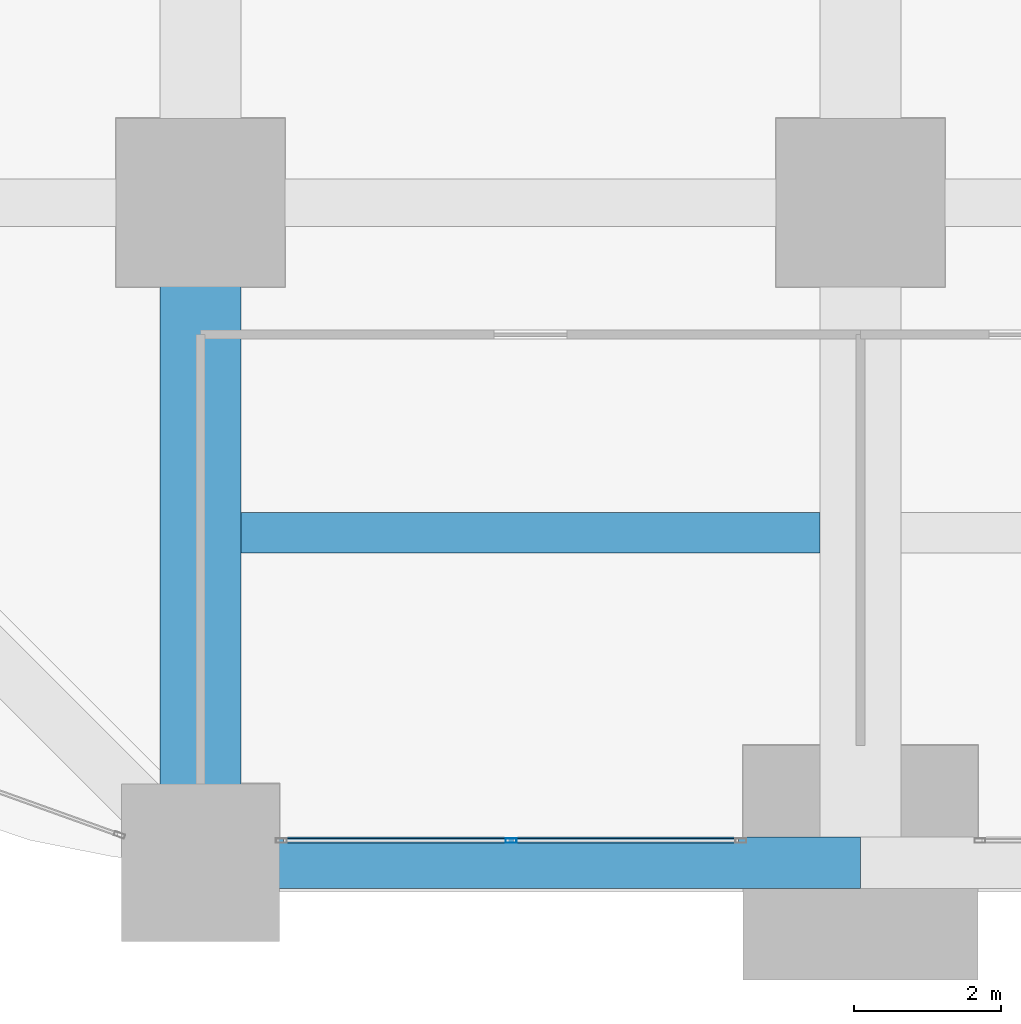
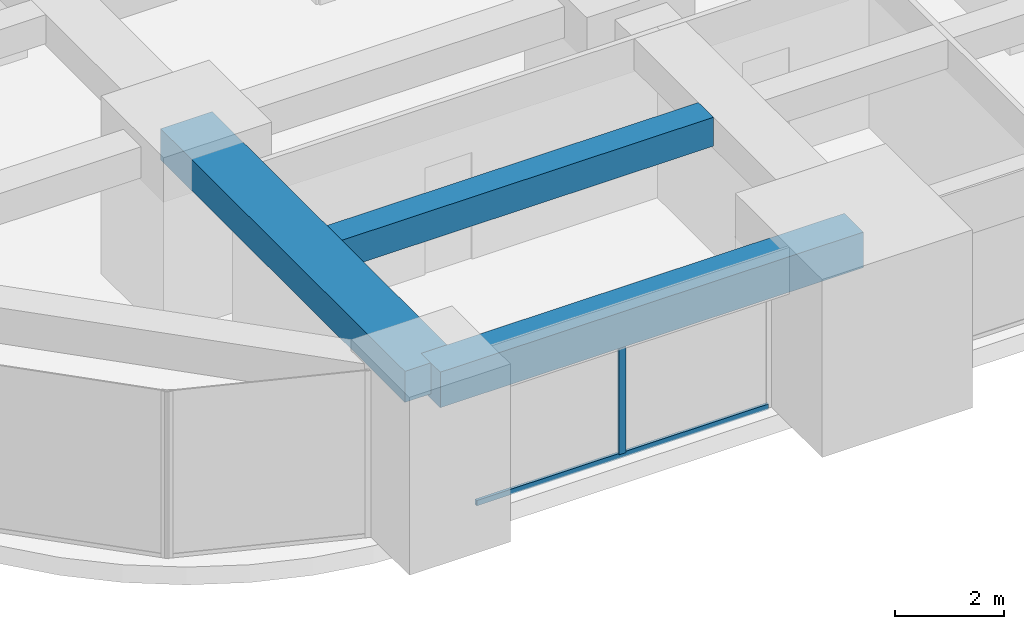
# One storey, part 3 of 50: 3 beams, 2 members, 1 element without a shape of its own.
"""IFC4 building model written with IfcOpenShell, lengths in metres."""

from ifc_helpers import new_model, si_unit, direction, frame, origin, origin_2d, place, context, subcontext, project, spatial, rectangle, hollow_rectangle, extrude, material, material_profile, profile_set, type_object, element, aggregate, save


model = new_model("IFC4")

# Units and contexts
model_context = context("Model", 3, precision=1e-05, world=origin(), true_north=direction((0.0, 1.0)))
body_context = subcontext(model_context, "Body", "Model", "MODEL_VIEW")
ifc_project = project(units=[si_unit("LENGTHUNIT", "METRE"), si_unit("AREAUNIT", "SQUARE_METRE"), si_unit("VOLUMEUNIT", "CUBIC_METRE"), si_unit("PLANEANGLEUNIT", "RADIAN"), si_unit("MASSUNIT", "GRAM", prefix="KILO")], contexts=[model_context])

# Site, building, storey
site_placement = place(None, origin())
site = spatial("IfcSite", under=ifc_project, at=site_placement, CompositionType="ELEMENT")
building_placement = place(site_placement, origin())
building = spatial("IfcBuilding", under=site, at=building_placement, Name="Zorevar Civic Tower", CompositionType="ELEMENT")
storey_placement = place(building_placement, frame((0.0, 0.0, 85.0)))
storey = spatial("IfcBuildingStorey", under=building, at=storey_placement, Name="L20", CompositionType="ELEMENT", Elevation=85.0)

# Beams
ifc_material_1 = material(Name="Concrete C50/60", Category="concrete")
ifc_material_profile_1 = material_profile(ifc_material_1, rectangle(XDim=1.10009765625, YDim=0.699951171875, at=origin_2d()), Name="RC 1100x700")
ifc_profile_set_1 = profile_set([ifc_material_profile_1], Name="Concrete C50/60")
beam_type_1 = type_object("IfcBeamType", Name="Beam RC 1100x700", PredefinedType="BEAM", material=ifc_profile_set_1)
beam_1_placement = place(storey_placement, frame((9.0, 0.0, 3.39990234375), z_axis=(0.0, 1.0, 0.0), x_axis=(-1.0, 0.0, 0.0)))
element("IfcBeam", 1, at=beam_1_placement, inside=storey, type_object=beam_type_1, Name="Girder L21", PredefinedType="BEAM", context=body_context, shape_type="SweptSolid", body=[
    extrude(rectangle(XDim=1.10009765625, YDim=0.699951171875, at=origin_2d()), origin(), (0.0, 0.0, 1.0), 9.0),
])
ifc_material_2 = material(Name="Concrete C50/60", Category="concrete")
ifc_material_profile_2 = material_profile(ifc_material_2, rectangle(XDim=0.550048828125, YDim=0.64990234375, at=origin_2d()), Name="RC 550x650")
ifc_profile_set_2 = profile_set([ifc_material_profile_2], Name="Concrete C50/60")
beam_type_2 = type_object("IfcBeamType", Name="Beam RC 550x650", PredefinedType="BEAM", material=ifc_profile_set_2)
beam_2_placement = place(storey_placement, frame((9.550048828125, 4.5, 3.425048828125), z_axis=(1.0, 0.0, 0.0), x_axis=(0.0, 1.0, 0.0)))
element("IfcBeam", 2, at=beam_2_placement, inside=storey, type_object=beam_type_2, Name="Secondary beam L21", PredefinedType="BEAM", context=body_context, shape_type="SweptSolid", body=[
    extrude(rectangle(XDim=0.550048828125, YDim=0.64990234375, at=origin_2d()), origin(), (0.0, 0.0, 1.0), 7.89990234375),
])

# Curtain wall, members
ifc_material_3 = material(Name="Dark grey solar-control glass in black aluminium frame", Category="aluminium")
curtain_wall_type = type_object("IfcCurtainWallType", Name="Curtain wall CW3 mid zone", PredefinedType="NOTDEFINED", material=ifc_material_3)
curtain_wall_placement = place(storey_placement, origin())
curtain_wall = element("IfcCurtainWall", 3, at=curtain_wall_placement, inside=storey, type_object=curtain_wall_type, Name="CW3 L20", PredefinedType="NOTDEFINED")
ifc_material_4 = material(Name="Aluminium, black anodised", Category="aluminium")
ifc_material_profile_3 = material_profile(ifc_material_4, hollow_rectangle(XDim=0.06005859375, YDim=0.14990234375, WallThickness=0.00390625, at=origin_2d()), Name="AL 150x60x4")
ifc_profile_set_3 = profile_set([ifc_material_profile_3], Name="Aluminium, black anodised")
member_type_1 = type_object("IfcMemberType", Name="CW3 mullion AL 150x60x4", PredefinedType="MULLION", material=ifc_profile_set_3)
member_1_placement = place(storey_placement, frame((13.237548828125, 0.300048828125, 0.06005859375), z_axis=(0.0, 0.0, 1.0), x_axis=(0.0, 1.0, 0.0)))
member_1 = element("IfcMember", 4, at=member_1_placement, type_object=member_type_1, Name="CW3 mullion 2", PredefinedType="MULLION", context=body_context, shape_type="SweptSolid", body=[
    extrude(hollow_rectangle(XDim=0.06005859375, YDim=0.14990234375, WallThickness=0.00390625, at=origin_2d()), origin(), (0.0, 0.0, 1.0), 2.889892578125),
])
ifc_material_5 = material(Name="Aluminium, black anodised", Category="aluminium")
ifc_material_profile_4 = material_profile(ifc_material_5, hollow_rectangle(XDim=0.06005859375, YDim=0.1201171875, WallThickness=0.0029296875, at=origin_2d()), Name="AL 120x60x3")
ifc_profile_set_4 = profile_set([ifc_material_profile_4], Name="Aluminium, black anodised")
member_type_2 = type_object("IfcMemberType", Name="CW3 transom AL 120x60x3", PredefinedType="USERDEFINED", material=ifc_profile_set_4)
member_2_placement = place(storey_placement, frame((10.135009765625, 0.300048828125, 0.030029296875), z_axis=(1.0, 0.0, 0.0), x_axis=(0.0, 1.0, 0.0)))
member_2 = element("IfcMember", 5, at=member_2_placement, type_object=member_type_2, Name="CW3 sill transom", ObjectType="TRANSOM", PredefinedType="USERDEFINED", context=body_context, shape_type="SweptSolid", body=[
    extrude(hollow_rectangle(XDim=0.06005859375, YDim=0.1201171875, WallThickness=0.0029296875, at=origin_2d()), origin(), (0.0, 0.0, 1.0), 6.205078125),
])
aggregate(curtain_wall, [member_1, member_2])

# Beam
ifc_material_6 = material(Name="Concrete C50/60", Category="concrete")
ifc_material_profile_5 = material_profile(ifc_material_6, rectangle(XDim=0.699951171875, YDim=0.800048828125, at=origin_2d()), Name="RC 700x800")
ifc_profile_set_5 = profile_set([ifc_material_profile_5], Name="Concrete C50/60")
beam_type_3 = type_object("IfcBeamType", Name="Edge beam RC 700x800", PredefinedType="SPANDREL", material=ifc_profile_set_5)
beam_3_placement = place(storey_placement, frame((9.0, 0.0, 3.35009765625), z_axis=(1.0, 0.0, 0.0), x_axis=(0.0, 1.0, 0.0)))
element("IfcBeam", 6, at=beam_3_placement, inside=storey, type_object=beam_type_3, Name="Edge beam L21", PredefinedType="SPANDREL", context=body_context, shape_type="SweptSolid", body=[
    extrude(rectangle(XDim=0.699951171875, YDim=0.800048828125, at=origin_2d()), origin(), (0.0, 0.0, 1.0), 9.0),
])

save(model, "model.ifc")
